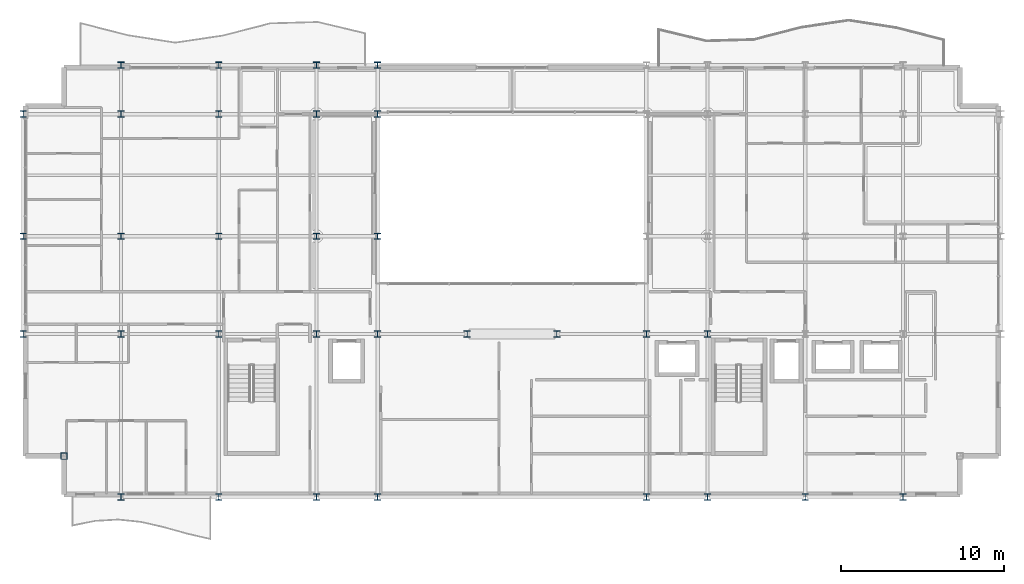
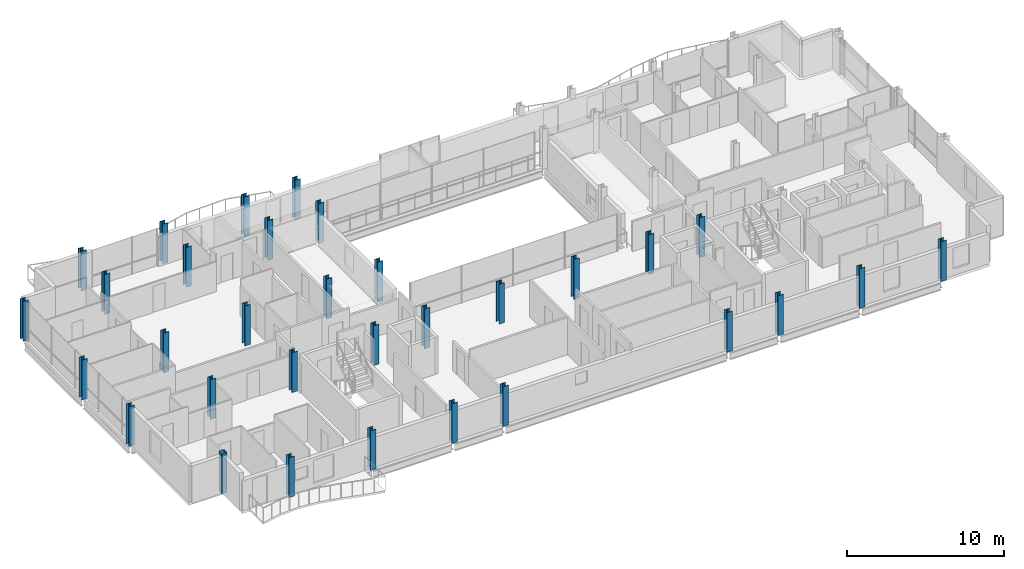
# One storey, part 1 of 35: 32 columns.
"""IFC4 building model written with IfcOpenShell, lengths in metres."""

from ifc_helpers import new_model, si_unit, direction, frame, origin, origin_2d, place, context, subcontext, project, spatial, hollow_rectangle, i_section, extrude, material, material_profile, profile_set, type_object, element, save


model = new_model("IFC4")

# Units and contexts
model_context = context("Model", 3, precision=1e-05, world=origin(), true_north=direction((0.0, 1.0)))
body_context = subcontext(model_context, "Body", "Model", "MODEL_VIEW")
ifc_project = project(units=[si_unit("LENGTHUNIT", "METRE"), si_unit("AREAUNIT", "SQUARE_METRE"), si_unit("VOLUMEUNIT", "CUBIC_METRE"), si_unit("PLANEANGLEUNIT", "RADIAN"), si_unit("MASSUNIT", "GRAM", prefix="KILO")], contexts=[model_context])

# Site, building, storey
site_placement = place(None, origin())
site = spatial("IfcSite", under=ifc_project, at=site_placement, CompositionType="ELEMENT")
building_placement = place(site_placement, origin())
building = spatial("IfcBuilding", under=site, at=building_placement, Name="Brevholm Reach", CompositionType="ELEMENT")
storey_placement = place(building_placement, frame((0.0, 0.0, 183.199951171875)))
storey = spatial("IfcBuildingStorey", under=building, at=storey_placement, Name="L55", CompositionType="ELEMENT", Elevation=183.199951171875)

# Columns
ifc_material_1 = material(Name="Structural Steel S460NH", Category="steel")
ifc_material_profile_1 = material_profile(ifc_material_1, hollow_rectangle(XDim=0.39990234375, YDim=0.39990234375, WallThickness=0.02001953125, InnerFilletRadius=0.011962890625, OuterFilletRadius=0.02392578125, at=origin_2d()), Name="SHS 400x400x20")
ifc_profile_set_1 = profile_set([ifc_material_profile_1], Name="Structural Steel S460NH")
column_type_1 = type_object("IfcColumnType", Name="COL-SHS2", PredefinedType="COLUMN", material=ifc_profile_set_1)
column_placement = place(storey_placement, frame((2.5, 2.5, 0.0), z_axis=(0.0, 0.0, 1.0), x_axis=(1.0, 0.0, 0.0)))
element("IfcColumn", 1, at=column_placement, inside=storey, type_object=column_type_1, Name="L55 Column 04", PredefinedType="COLUMN", context=body_context, shape_type="SweptSolid", body=[
    extrude(hollow_rectangle(XDim=0.39990234375, YDim=0.39990234375, WallThickness=0.02001953125, InnerFilletRadius=0.011962890625, OuterFilletRadius=0.02392578125, at=origin_2d()), origin(), (0.0, 0.0, 1.0), 3.10009765625),
])
ifc_material_2 = material(Name="Structural Steel S355J2", Category="steel")
ifc_material_profile_2 = material_profile(ifc_material_2, i_section(OverallWidth=0.39892578125, OverallDepth=0.3935546875, WebThickness=0.022705078125, FlangeThickness=0.03662109375, FilletRadius=0.01513671875, at=origin_2d()), Name="UKC 356x406x287")
ifc_profile_set_2 = profile_set([ifc_material_profile_2], Name="Structural Steel S355J2")
column_type_2 = type_object("IfcColumnType", Name="COL-UC5B", PredefinedType="COLUMN", material=ifc_profile_set_2)
for number, where, z_axis, x_axis, name in (
    (2, (0.0, 10.0, 0.0), (0.0, 0.0, 1.0), (1.0, 0.0, 0.0), "L55 Column 01"),
    (3, (0.0, 16.0, 0.0), (0.0, 0.0, 1.0), (1.0, 0.0, 0.0), "L55 Column 02"),
    (4, (0.0, 23.5, 0.0), (0.0, 0.0, 1.0), (1.0, 0.0, 0.0), "L55 Column 03"),
    (5, (6.0, 0.0, 0.0), (0.0, 0.0, 1.0), (1.0, 0.0, 0.0), "L55 Column 05"),
    (6, (6.0, 10.0, 0.0), (0.0, 0.0, 1.0), (1.0, 0.0, 0.0), "L55 Column 06"),
    (7, (6.0, 16.0, 0.0), (0.0, 0.0, 1.0), (1.0, 0.0, 0.0), "L55 Column 07"),
    (8, (6.0, 23.5, 0.0), (0.0, 0.0, 1.0), (1.0, 0.0, 0.0), "L55 Column 08"),
    (9, (6.0, 26.5, 0.0), (0.0, 0.0, 1.0), (1.0, 0.0, 0.0), "L55 Column 09"),
    (10, (12.0, 0.0, 0.0), (0.0, 0.0, 1.0), (1.0, 0.0, 0.0), "L55 Column 10"),
    (11, (12.0, 10.0, 0.0), (0.0, 0.0, 1.0), (1.0, 0.0, 0.0), "L55 Column 11"),
    (12, (12.0, 16.0, 0.0), (0.0, 0.0, 1.0), (1.0, 0.0, 0.0), "L55 Column 12"),
    (13, (12.0, 23.5, 0.0), (0.0, 0.0, 1.0), (1.0, 0.0, 0.0), "L55 Column 13"),
    (14, (12.0, 26.5, 0.0), (0.0, 0.0, 1.0), (1.0, 0.0, 0.0), "L55 Column 14"),
    (15, (18.0, 0.0, 0.0), (0.0, 0.0, 1.0), (1.0, 0.0, 0.0), "L55 Column 15"),
    (16, (18.0, 10.0, 0.0), (0.0, 0.0, 1.0), (1.0, 0.0, 0.0), "L55 Column 16"),
    (17, (18.0, 16.0, 0.0), (0.0, 0.0, 1.0), (1.0, 0.0, 0.0), "L55 Column 17"),
    (18, (18.0, 23.5, 0.0), (0.0, 0.0, 1.0), (1.0, 0.0, 0.0), "L55 Column 18"),
    (19, (18.0, 26.5, 0.0), (0.0, 0.0, 1.0), (1.0, 0.0, 0.0), "L55 Column 19"),
    (20, (21.75, 0.0, 0.0), (0.0, 0.0, 1.0), (1.0, 0.0, 0.0), "L55 Column 20"),
    (21, (21.75, 10.0, 0.0), (0.0, 0.0, 1.0), (1.0, 0.0, 0.0), "L55 Column 21"),
    (22, (21.75, 16.0, 0.0), (0.0, 0.0, 1.0), (1.0, 0.0, 0.0), "L55 Column 22"),
    (23, (21.75, 23.5, 0.0), (0.0, 0.0, 1.0), (1.0, 0.0, 0.0), "L55 Column 23"),
    (24, (21.75, 26.5, 0.0), (0.0, 0.0, 1.0), (1.0, 0.0, 0.0), "L55 Column 24"),
    (25, (27.25, 10.0, 0.0), (0.0, 0.0, 1.0), (1.0, 0.0, 0.0), "L55 Column 25"),
    (26, (32.75, 10.0, 0.0), (0.0, 0.0, 1.0), (1.0, 0.0, 0.0), "L55 Column 26"),
    (27, (38.25, 0.0, 0.0), (0.0, 0.0, 1.0), (1.0, 0.0, 0.0), "L55 Column 27"),
    (28, (38.25, 10.0, 0.0), (0.0, 0.0, 1.0), (1.0, 0.0, 0.0), "L55 Column 28"),
    (29, (42.0, 0.0, 0.0), (0.0, 0.0, 1.0), (1.0, 0.0, 0.0), "L55 Column 32"),
    (30, (42.0, 10.0, 0.0), (0.0, 0.0, 1.0), (1.0, 0.0, 0.0), "L55 Column 33"),
    (31, (48.0, 0.0, 0.0), (0.0, 0.0, 1.0), (1.0, 0.0, 0.0), "L55 Column 37"),
    (32, (54.0, 0.0, 0.0), (0.0, 0.0, 1.0), (1.0, 0.0, 0.0), "L55 Column 42"),
):
    element("IfcColumn", number, at=place(storey_placement, frame(where, z_axis=z_axis, x_axis=x_axis)), inside=storey, type_object=column_type_2, Name=name, PredefinedType="COLUMN", context=body_context, shape_type="SweptSolid", body=[
        extrude(i_section(OverallWidth=0.39892578125, OverallDepth=0.3935546875, WebThickness=0.022705078125, FlangeThickness=0.03662109375, FilletRadius=0.01513671875, at=origin_2d()), origin(), (0.0, 0.0, 1.0), 3.10009765625),
    ])

save(model, "model.ifc")
